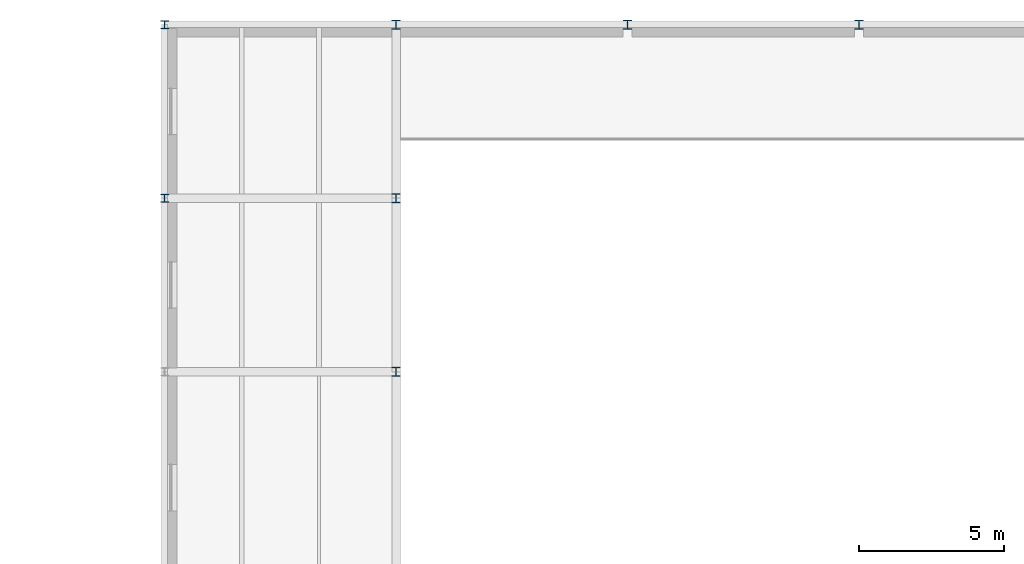
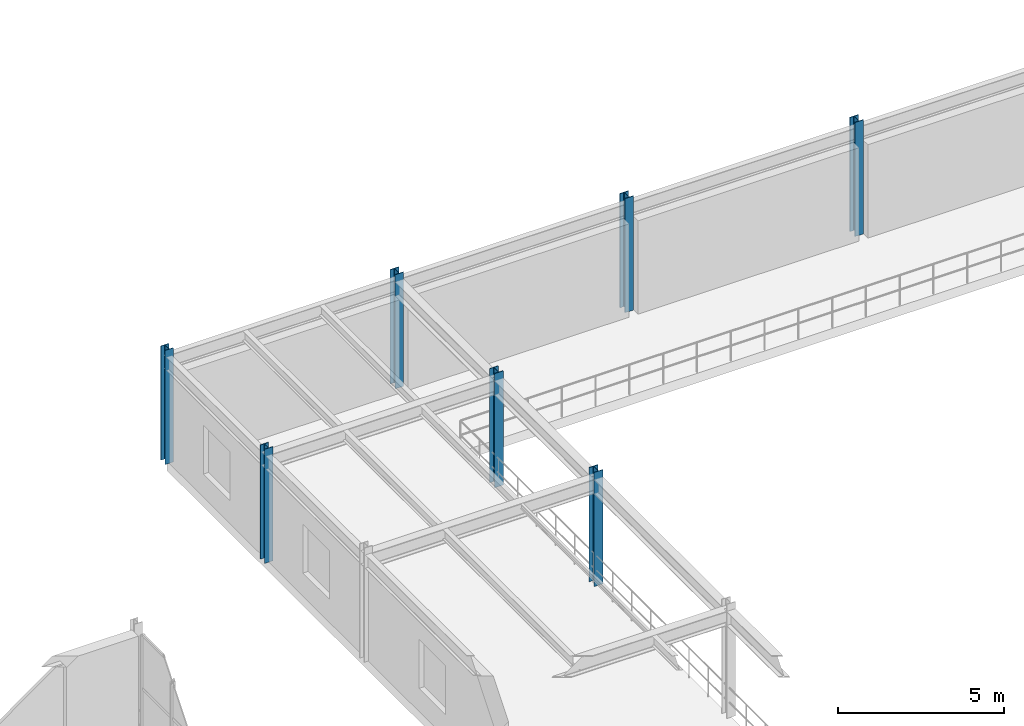
# One storey, part 14 of 122: 7 columns.
"""IFC4 building model written with IfcOpenShell, lengths in metres."""

from ifc_helpers import new_model, si_unit, direction, frame, origin, origin_2d, place, context, subcontext, project, spatial, i_section, extrude, material, material_profile, profile_set, type_object, element, save


model = new_model("IFC4")

# Units and contexts
model_context = context("Model", 3, precision=1e-05, world=origin(), true_north=direction((0.0, 1.0)))
body_context = subcontext(model_context, "Body", "Model", "MODEL_VIEW")
ifc_project = project(units=[si_unit("LENGTHUNIT", "METRE"), si_unit("AREAUNIT", "SQUARE_METRE"), si_unit("VOLUMEUNIT", "CUBIC_METRE"), si_unit("PLANEANGLEUNIT", "RADIAN"), si_unit("MASSUNIT", "GRAM", prefix="KILO")], contexts=[model_context])

# Site, building, storey
site_placement = place(None, origin())
site = spatial("IfcSite", under=ifc_project, at=site_placement, CompositionType="ELEMENT")
building_placement = place(site_placement, origin())
building = spatial("IfcBuilding", under=site, at=building_placement, Name="Sundkrona Museum", CompositionType="ELEMENT")
storey_placement = place(building_placement, frame((0.0, 0.0, 5.39990234375)))
storey = spatial("IfcBuildingStorey", under=building, at=storey_placement, Name="L01", CompositionType="ELEMENT", Elevation=5.39990234375)

# Columns
ifc_material = material(Name="Steel S355J2", Category="steel")
ifc_material_profile_1 = material_profile(ifc_material, i_section(OverallWidth=0.280029296875, OverallDepth=0.280029296875, WebThickness=0.010498046875, FlangeThickness=0.01806640625, FilletRadius=0.02392578125, at=origin_2d()), Name="HEB 280")
ifc_profile_set_1 = profile_set([ifc_material_profile_1], Name="Steel S355J2")
column_type_1 = type_object("IfcColumnType", Name="C-HEB280", PredefinedType="COLUMN", material=ifc_profile_set_1)
for number, where, z_axis, x_axis, name in (
    (1, (104.0, 108.0, 0.0), (0.0, 0.0, 1.0), (1.0, 0.0, 0.0), "L01 Column Q/14"),
    (2, (104.0, 114.0, 0.0), (0.0, 0.0, 1.0), (1.0, 0.0, 0.0), "L01 Column R/14"),
):
    element("IfcColumn", number, at=place(storey_placement, frame(where, z_axis=z_axis, x_axis=x_axis)), inside=storey, type_object=column_type_1, Name=name, PredefinedType="COLUMN", context=body_context, shape_type="SweptSolid", body=[
        extrude(i_section(OverallWidth=0.280029296875, OverallDepth=0.280029296875, WebThickness=0.010498046875, FlangeThickness=0.01806640625, FilletRadius=0.02392578125, at=origin_2d()), origin(), (0.0, 0.0, 1.0), 4.2001953125),
    ])
ifc_material_profile_2 = material_profile(ifc_material, i_section(OverallWidth=0.300048828125, OverallDepth=0.320068359375, WebThickness=0.011474609375, FlangeThickness=0.0205078125, FilletRadius=0.027099609375, at=origin_2d()), Name="HEB 320")
ifc_profile_set_2 = profile_set([ifc_material_profile_2], Name="Steel S355J2")
column_type_2 = type_object("IfcColumnType", Name="C-HEB320", PredefinedType="COLUMN", material=ifc_profile_set_2)
for number, where, z_axis, x_axis, name in (
    (3, (112.0, 102.0, 0.0), (0.0, 0.0, 1.0), (1.0, 0.0, 0.0), "L01 Column P/15"),
    (4, (112.0, 108.0, 0.0), (0.0, 0.0, 1.0), (1.0, 0.0, 0.0), "L01 Column Q/15"),
    (5, (112.0, 114.0, 0.0), (0.0, 0.0, 1.0), (1.0, 0.0, 0.0), "L01 Column R/15"),
    (6, (120.0, 114.0, 0.0), (0.0, 0.0, 1.0), (1.0, 0.0, 0.0), "L01 Column R/16"),
    (7, (128.0, 114.0, 0.0), (0.0, 0.0, 1.0), (1.0, 0.0, 0.0), "L01 Column R/17"),
):
    element("IfcColumn", number, at=place(storey_placement, frame(where, z_axis=z_axis, x_axis=x_axis)), inside=storey, type_object=column_type_2, Name=name, PredefinedType="COLUMN", context=body_context, shape_type="SweptSolid", body=[
        extrude(i_section(OverallWidth=0.300048828125, OverallDepth=0.320068359375, WebThickness=0.011474609375, FlangeThickness=0.0205078125, FilletRadius=0.027099609375, at=origin_2d()), origin(), (0.0, 0.0, 1.0), 4.2001953125),
    ])

save(model, "model.ifc")
